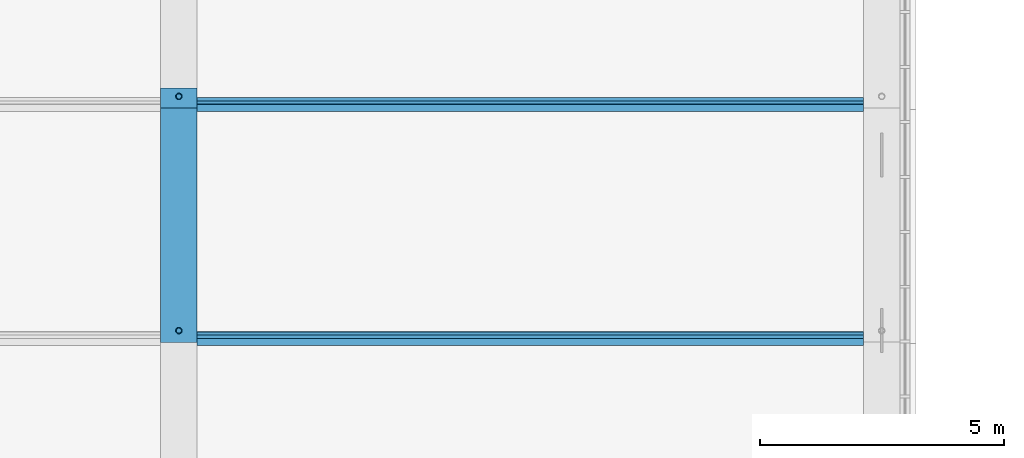
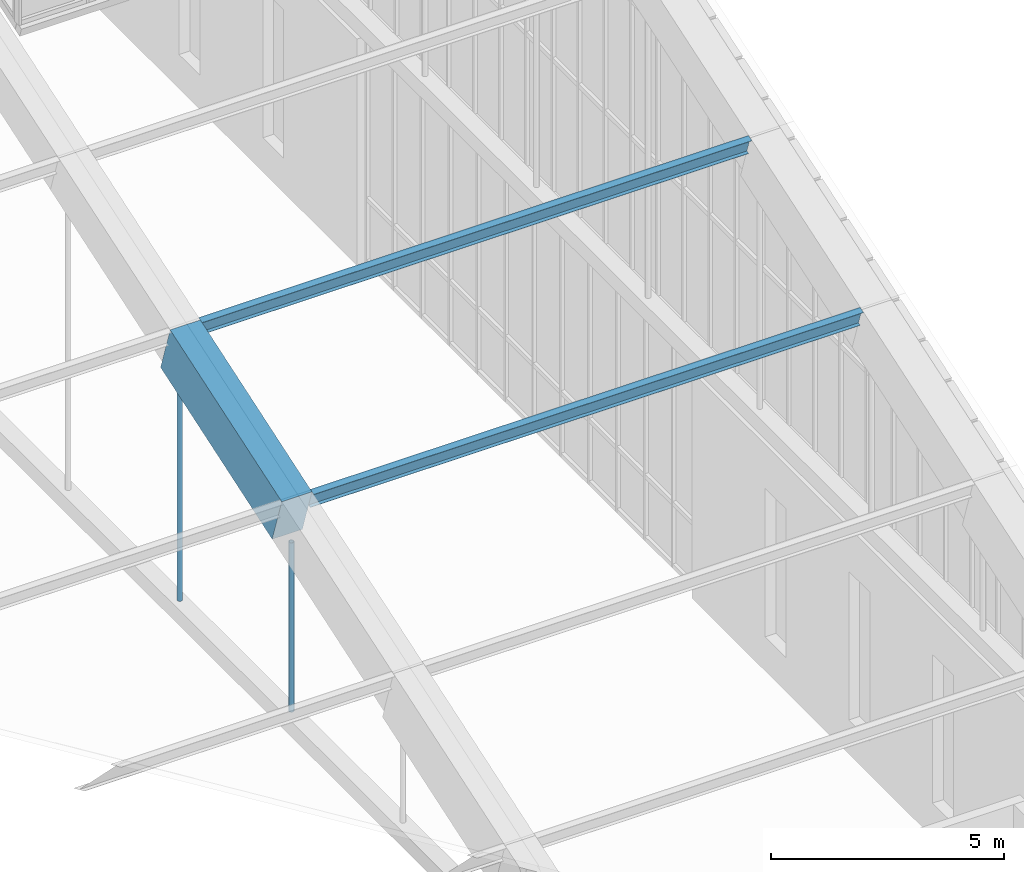
# One storey, part 27 of 149: 4 members, 1 beam.
"""IFC4 building model written with IfcOpenShell, lengths in metres."""

from ifc_helpers import new_model, si_unit, direction, frame, origin, origin_2d, place, context, subcontext, project, spatial, rectangle, hollow_circle, i_section, extrude, material, material_profile, profile_set, type_object, element, save


model = new_model("IFC4")

# Units and contexts
model_context = context("Model", 3, precision=1e-05, world=origin(), true_north=direction((0.0, 1.0)))
body_context = subcontext(model_context, "Body", "Model", "MODEL_VIEW")
ifc_project = project(units=[si_unit("LENGTHUNIT", "METRE"), si_unit("AREAUNIT", "SQUARE_METRE"), si_unit("VOLUMEUNIT", "CUBIC_METRE"), si_unit("PLANEANGLEUNIT", "RADIAN"), si_unit("MASSUNIT", "GRAM", prefix="KILO")], contexts=[model_context])

# Site, building, storey
site_placement = place(None, origin())
site = spatial("IfcSite", under=ifc_project, at=site_placement, CompositionType="ELEMENT")
building_placement = place(site_placement, origin())
building = spatial("IfcBuilding", under=site, at=building_placement, Name="Alderwick Market Hall", CompositionType="ELEMENT")
storey_placement = place(building_placement, frame((0.0, 0.0, 9.60009765625)))
storey = spatial("IfcBuildingStorey", under=building, at=storey_placement, Name="L01", CompositionType="ELEMENT", Elevation=9.60009765625)

# Beam
ifc_material_1 = material(Name="Concrete 5000 psi (f'c 35 MPa)", Category="concrete")
ifc_material_profile_1 = material_profile(ifc_material_1, rectangle(XDim=0.75, YDim=1.300048828125, at=origin_2d()), Name="RC 750x1300")
ifc_profile_set_1 = profile_set([ifc_material_profile_1], Name="Concrete 5000 psi (f'c 35 MPa)")
beam_type = type_object("IfcBeamType", Name="R Arch Rib Haunch 750x1300", PredefinedType="BEAM", material=ifc_profile_set_1)
beam_placement = place(storey_placement, frame((136.800048828125, 64.768310546875, 11.494873046875), z_axis=(0.0, 0.948692948114, 0.316198814353), x_axis=(-1.0, 0.0, 0.0)))
element("IfcBeam", 1, at=beam_placement, inside=storey, type_object=beam_type, Name="Arch rib 7 chord 4", PredefinedType="BEAM", context=body_context, shape_type="SweptSolid", body=[
    extrude(rectangle(XDim=0.75, YDim=1.300048828125, at=origin_2d()), origin(), (0.0, 0.0, 1.0), 5.0595703125),
])

# Members
ifc_material_2 = material(Name="Steel ASTM A500 Grade C", Category="steel")
ifc_material_profile_2 = material_profile(ifc_material_2, hollow_circle(Radius=0.0634765625, WallThickness=0.005859375, at=origin_2d()), Name="HSS5.000x0.250")
ifc_profile_set_2 = profile_set([ifc_material_profile_2], Name="Steel ASTM A500 Grade C")
member_type_1 = type_object("IfcMemberType", Name="R Hanger HSS5.000x0.250", PredefinedType="POST", material=ifc_profile_set_2)
member_1_placement = place(storey_placement, frame((136.800048828125, 64.800048828125, 6.35302734375), z_axis=(0.0, 0.0, 1.0), x_axis=(1.0, 0.0, 0.0)))
element("IfcMember", 2, at=member_1_placement, inside=storey, type_object=member_type_1, Name="Arch hanger 7.3", PredefinedType="POST", context=body_context, shape_type="SweptSolid", body=[
    extrude(hollow_circle(Radius=0.0634765625, WallThickness=0.005859375, at=origin_2d()), origin(), (0.0, 0.0, 1.0), 4.446044921875),
])
member_2_placement = place(storey_placement, frame((136.800048828125, 69.60009765625, 6.35302734375), z_axis=(0.0, 0.0, 1.0), x_axis=(1.0, 0.0, 0.0)))
element("IfcMember", 3, at=member_2_placement, inside=storey, type_object=member_type_1, Name="Arch hanger 7.4", PredefinedType="POST", context=body_context, shape_type="SweptSolid", body=[
    extrude(hollow_circle(Radius=0.0634765625, WallThickness=0.005859375, at=origin_2d()), origin(), (0.0, 0.0, 1.0), 6.0458984375),
])
ifc_material_3 = material(Name="Steel ASTM A992 Grade 50", Category="steel")
ifc_material_profile_3 = material_profile(ifc_material_3, i_section(OverallWidth=0.153076171875, OverallDepth=0.455078125, WebThickness=0.008056640625, FlangeThickness=0.01318359375, at=origin_2d()), Name="W18x40")
ifc_profile_set_3 = profile_set([ifc_material_profile_3], Name="Steel ASTM A992 Grade 50")
member_type_2 = type_object("IfcMemberType", Name="R Purlin W18x40", PredefinedType="PURLIN", material=ifc_profile_set_3)
for number, where, z_axis, x_axis, name in (
    (4, (137.175048828125, 64.63671875, 11.889892578125), (1.0, 0.0, 0.0), (0.0, 0.948683297073, 0.316227768949), "Roof purlin 4.7"),
    (5, (137.175048828125, 69.436767578125, 13.489990234375), (1.0, 0.0, 0.0), (0.0, 0.948683297073, 0.316227768949), "Roof purlin 5.7"),
):
    element("IfcMember", number, at=place(storey_placement, frame(where, z_axis=z_axis, x_axis=x_axis)), inside=storey, type_object=member_type_2, Name=name, PredefinedType="PURLIN", context=body_context, shape_type="SweptSolid", body=[
        extrude(i_section(OverallWidth=0.153076171875, OverallDepth=0.455078125, WebThickness=0.008056640625, FlangeThickness=0.01318359375, at=origin_2d()), origin(), (0.0, 0.0, 1.0), 13.64990234375),
    ])

save(model, "model.ifc")
